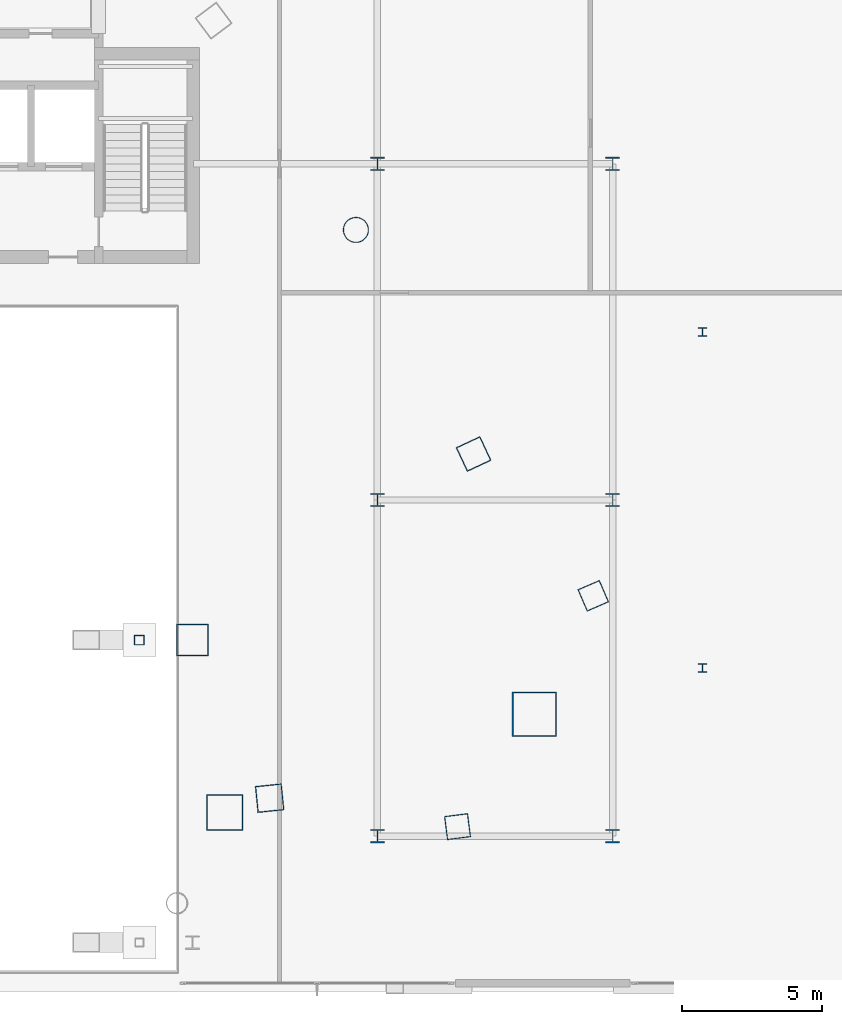
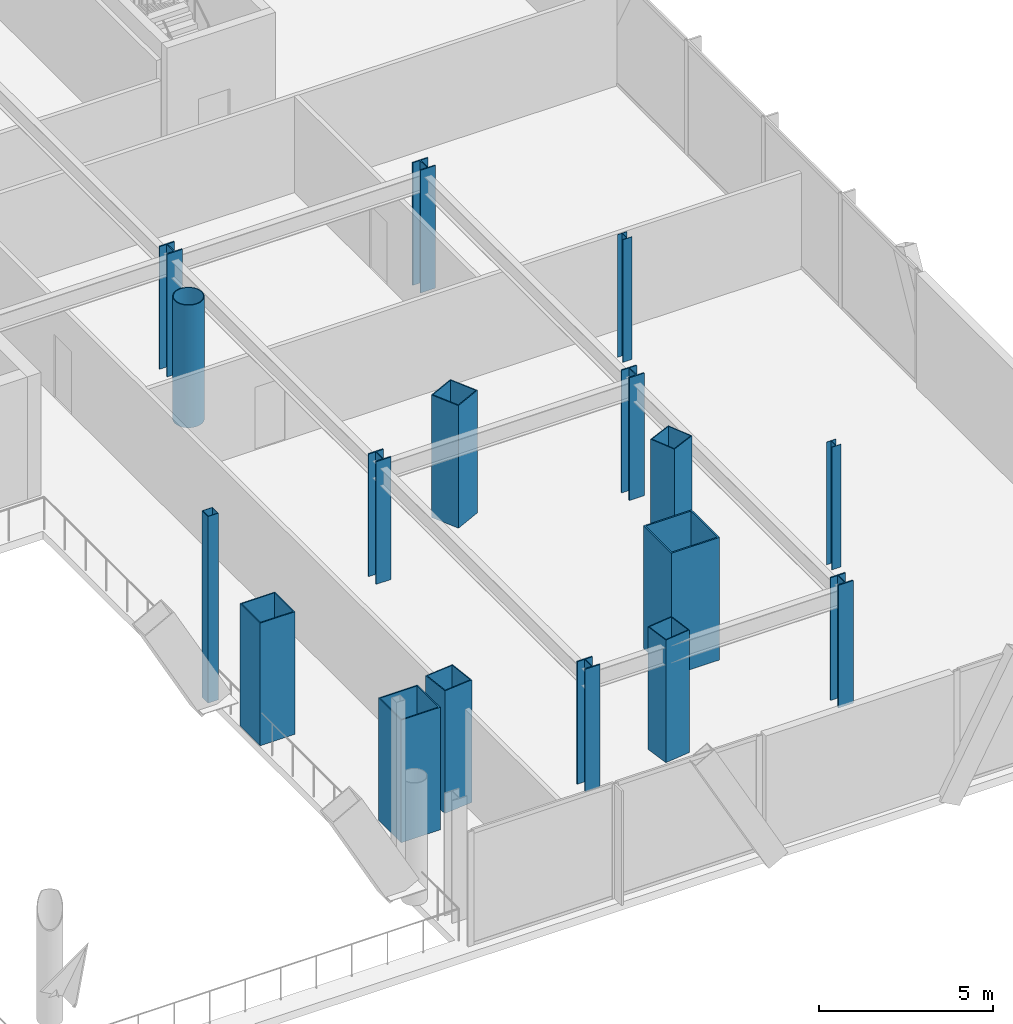
# One storey, part 2 of 42: 17 columns.
"""IFC4 building model written with IfcOpenShell, lengths in metres."""

from ifc_helpers import new_model, si_unit, direction, frame, origin, origin_2d, place, context, subcontext, project, spatial, hollow_rectangle, hollow_circle, i_section, extrude, material, material_profile, profile_set, type_object, element, save


model = new_model("IFC4")

# Units and contexts
model_context = context("Model", 3, precision=1e-05, world=origin(), true_north=direction((0.0, 1.0)))
body_context = subcontext(model_context, "Body", "Model", "MODEL_VIEW")
ifc_project = project(units=[si_unit("LENGTHUNIT", "METRE"), si_unit("AREAUNIT", "SQUARE_METRE"), si_unit("VOLUMEUNIT", "CUBIC_METRE"), si_unit("PLANEANGLEUNIT", "RADIAN"), si_unit("MASSUNIT", "GRAM", prefix="KILO")], contexts=[model_context])

# Site, building, storey
site_placement = place(None, origin())
site = spatial("IfcSite", under=ifc_project, at=site_placement, CompositionType="ELEMENT")
building_placement = place(site_placement, origin())
building = spatial("IfcBuilding", under=site, at=building_placement, Name="Orvanel Arch Residences", CompositionType="ELEMENT")
storey_placement = place(building_placement, frame((0.0, 0.0, 5.5)))
storey = spatial("IfcBuildingStorey", under=building, at=storey_placement, Name="L01", CompositionType="ELEMENT", Elevation=5.5)

# Columns
ifc_material_1 = material(Name="Structural steel AS/NZS 1163 C450L0 (Grade 450)", Category="steel")
ifc_material_profile_1 = material_profile(ifc_material_1, hollow_circle(Radius=0.45703125, WallThickness=0.02490234375, at=origin_2d()), Name="CHS914x25")
ifc_profile_set_1 = profile_set([ifc_material_profile_1], Name="Structural steel AS/NZS 1163 C450L0 (Grade 450)")
column_type_1 = type_object("IfcColumnType", Name="CC-914", PredefinedType="COLUMN", material=ifc_profile_set_1)
column_1_placement = place(storey_placement, frame((45.430908203125, 27.64111328125, 0.0), z_axis=(0.0, 0.0, 1.0), x_axis=(1.0, 0.0, 0.0)))
element("IfcColumn", 1, at=column_1_placement, inside=storey, type_object=column_type_1, Name="L01 High-Rise Tube Column 08", PredefinedType="COLUMN", context=body_context, shape_type="SweptSolid", body=[
    extrude(hollow_circle(Radius=0.45703125, WallThickness=0.02490234375, at=origin_2d()), origin(), (0.0, 0.0, 1.0), 4.300048828125),
])
ifc_material_2 = material(Name="Structural steel AS/NZS 3678 Grade 450", Category="steel")
ifc_material_profile_2 = material_profile(ifc_material_2, hollow_rectangle(XDim=1.14990234375, YDim=1.14990234375, WallThickness=0.035888671875, at=origin_2d()), Name="BOX1150x1150x36")
ifc_profile_set_2 = profile_set([ifc_material_profile_2], Name="Structural steel AS/NZS 3678 Grade 450")
column_type_2 = type_object("IfcColumnType", Name="MC-1150", PredefinedType="COLUMN", material=ifc_profile_set_2)
column_2_placement = place(storey_placement, frame((39.60009765625, 13.0, 0.0), z_axis=(0.0, 0.0, 1.0), x_axis=(1.0, 0.0, 0.0)))
element("IfcColumn", 2, at=column_2_placement, inside=storey, type_object=column_type_2, Name="L01 Arch Portal Pier MID E", PredefinedType="COLUMN", context=body_context, shape_type="SweptSolid", body=[
    extrude(hollow_rectangle(XDim=1.14990234375, YDim=1.14990234375, WallThickness=0.035888671875, at=origin_2d()), origin(), (0.0, 0.0, 1.0), 4.300048828125),
])
ifc_material_profile_3 = material_profile(ifc_material_2, hollow_rectangle(XDim=1.300048828125, YDim=1.300048828125, WallThickness=0.0400390625, at=origin_2d()), Name="BOX1300x1300x40")
ifc_profile_set_3 = profile_set([ifc_material_profile_3], Name="Structural steel AS/NZS 3678 Grade 450")
column_type_3 = type_object("IfcColumnType", Name="MC-1300", PredefinedType="COLUMN", material=ifc_profile_set_3)
column_3_placement = place(storey_placement, frame((40.75, 6.843994140625, 0.0), z_axis=(0.0, 0.0, 1.0), x_axis=(1.0, 0.0, 0.0)))
element("IfcColumn", 3, at=column_3_placement, inside=storey, type_object=column_type_3, Name="L01 Arch Transfer Pier E", PredefinedType="COLUMN", context=body_context, shape_type="SweptSolid", body=[
    extrude(hollow_rectangle(XDim=1.300048828125, YDim=1.300048828125, WallThickness=0.0400390625, at=origin_2d()), origin(), (0.0, 0.0, 1.0), 4.300048828125),
])
ifc_material_profile_4 = material_profile(ifc_material_2, hollow_rectangle(XDim=1.60009765625, YDim=1.60009765625, WallThickness=0.050048828125, at=origin_2d()), Name="BOX1600x1600x50")
ifc_profile_set_4 = profile_set([ifc_material_profile_4], Name="Structural steel AS/NZS 3678 Grade 450")
column_type_4 = type_object("IfcColumnType", Name="MC-1600", PredefinedType="COLUMN", material=ifc_profile_set_4)
column_4_placement = place(storey_placement, frame((51.801025390625, 10.35107421875, 0.0), z_axis=(0.0, 0.0, 1.0), x_axis=(1.0, 0.0, 0.0)))
element("IfcColumn", 4, at=column_4_placement, inside=storey, type_object=column_type_4, Name="L01 Corner Composite Mega-Column 3", PredefinedType="COLUMN", context=body_context, shape_type="SweptSolid", body=[
    extrude(hollow_rectangle(XDim=1.60009765625, YDim=1.60009765625, WallThickness=0.050048828125, at=origin_2d()), origin(), (0.0, 0.0, 1.0), 4.300048828125),
])
ifc_material_3 = material(Name="Structural steel AS/NZS 1163 C350L0 (Grade 350)", Category="steel")
ifc_material_profile_5 = material_profile(ifc_material_3, hollow_rectangle(XDim=0.35009765625, YDim=0.35009765625, WallThickness=0.01611328125, at=origin_2d()), Name="SHS350x350x16")
ifc_profile_set_5 = profile_set([ifc_material_profile_5], Name="Structural steel AS/NZS 1163 C350L0 (Grade 350)")
column_type_5 = type_object("IfcColumnType", Name="OC-350SHS", PredefinedType="COLUMN", material=ifc_profile_set_5)
column_5_placement = place(storey_placement, frame((37.699951171875, 13.0, 1.778076171875), z_axis=(0.0, 0.0, 1.0), x_axis=(1.0, 0.0, 0.0)))
element("IfcColumn", 5, at=column_5_placement, inside=storey, type_object=column_type_5, Name="L01 Open-Spandrel Arch Post MID 7", PredefinedType="COLUMN", context=body_context, shape_type="SweptSolid", body=[
    extrude(hollow_rectangle(XDim=0.35009765625, YDim=0.35009765625, WallThickness=0.01611328125, at=origin_2d()), origin(), (0.0, 0.0, 1.0), 6.5419921875),
])
ifc_material_4 = material(Name="Structural steel AS/NZS 3679.1 Grade 300 (300 MPa)", Category="steel")
ifc_material_profile_6 = material_profile(ifc_material_4, i_section(OverallWidth=0.306884765625, OverallDepth=0.31494140625, WebThickness=0.011962890625, FlangeThickness=0.018798828125, at=origin_2d()), Name="310UC118")
ifc_profile_set_6 = profile_set([ifc_material_profile_6], Name="Structural steel AS/NZS 3679.1 Grade 300 (300 MPa)")
column_type_6 = type_object("IfcColumnType", Name="SC-310UC118", PredefinedType="COLUMN", material=ifc_profile_set_6)
for number, where, z_axis, x_axis, name in (
    (6, (57.800048828125, 12.0, 0.0), (0.0, 0.0, 1.0), (1.0, 0.0, 0.0), "L01 Auxiliary Podium Column 03"),
    (7, (57.800048828125, 24.0, 0.0), (0.0, 0.0, 1.0), (1.0, 0.0, 0.0), "L01 Auxiliary Podium Column 04"),
):
    element("IfcColumn", number, at=place(storey_placement, frame(where, z_axis=z_axis, x_axis=x_axis)), inside=storey, type_object=column_type_6, Name=name, PredefinedType="COLUMN", context=body_context, shape_type="SweptSolid", body=[
        extrude(i_section(OverallWidth=0.306884765625, OverallDepth=0.31494140625, WebThickness=0.011962890625, FlangeThickness=0.018798828125, at=origin_2d()), origin(), (0.0, 0.0, 1.0), 4.300048828125),
    ])
ifc_material_profile_7 = material_profile(ifc_material_4, i_section(OverallWidth=0.5, OverallDepth=0.47998046875, WebThickness=0.028076171875, FlangeThickness=0.0400390625, at=origin_2d()), Name="500WC440")
ifc_profile_set_7 = profile_set([ifc_material_profile_7], Name="Structural steel AS/NZS 3679.1 Grade 300 (300 MPa)")
column_type_7 = type_object("IfcColumnType", Name="SC-500WC", PredefinedType="COLUMN", material=ifc_profile_set_7)
for number, where, z_axis, x_axis, name in (
    (8, (46.199951171875, 6.0, 0.0), (0.0, 0.0, 1.0), (1.0, 0.0, 0.0), "L01 Podium Grid Column 08"),
    (9, (46.199951171875, 18.0, 0.0), (0.0, 0.0, 1.0), (1.0, 0.0, 0.0), "L01 Podium Grid Column 09"),
    (10, (46.199951171875, 30.0, 0.0), (0.0, 0.0, 1.0), (1.0, 0.0, 0.0), "L01 Podium Grid Column 10"),
    (11, (54.60009765625, 6.0, 0.0), (0.0, 0.0, 1.0), (1.0, 0.0, 0.0), "L01 Podium Grid Column 12"),
    (12, (54.60009765625, 18.0, 0.0), (0.0, 0.0, 1.0), (1.0, 0.0, 0.0), "L01 Podium Grid Column 13"),
    (13, (54.60009765625, 30.0, 0.0), (0.0, 0.0, 1.0), (1.0, 0.0, 0.0), "L01 Podium Grid Column 14"),
):
    element("IfcColumn", number, at=place(storey_placement, frame(where, z_axis=z_axis, x_axis=x_axis)), inside=storey, type_object=column_type_7, Name=name, PredefinedType="COLUMN", context=body_context, shape_type="SweptSolid", body=[
        extrude(i_section(OverallWidth=0.5, OverallDepth=0.47998046875, WebThickness=0.028076171875, FlangeThickness=0.0400390625, at=origin_2d()), origin(), (0.0, 0.0, 1.0), 4.300048828125),
    ])
ifc_material_5 = material(Name="Structural steel AS/NZS 3678 Grade 350", Category="steel")
ifc_material_profile_8 = material_profile(ifc_material_5, hollow_rectangle(XDim=0.85009765625, YDim=0.85009765625, WallThickness=0.028076171875, at=origin_2d()), Name="BOX850x850x28")
ifc_profile_set_8 = profile_set([ifc_material_profile_8], Name="Structural steel AS/NZS 3678 Grade 350")
column_type_8 = type_object("IfcColumnType", Name="TC-850", PredefinedType="COLUMN", material=ifc_profile_set_8)
for number, where, z_axis, x_axis, name in (
    (14, (49.05908203125, 6.339111328125, 0.0), (0.0, 0.0, 1.0), (0.99189444259, 0.127064608601, 0.0), "L01 Mid-Rise Buttress Tube Column 04"),
    (15, (53.905029296875, 14.580078125, 0.0), (0.0, 0.0, 1.0), (-0.397147890635, 0.917754625684, 0.0), "L01 Mid-Rise Buttress Tube Column 05"),
):
    element("IfcColumn", number, at=place(storey_placement, frame(where, z_axis=z_axis, x_axis=x_axis)), inside=storey, type_object=column_type_8, Name=name, PredefinedType="COLUMN", context=body_context, shape_type="SweptSolid", body=[
        extrude(hollow_rectangle(XDim=0.85009765625, YDim=0.85009765625, WallThickness=0.028076171875, at=origin_2d()), origin(), (0.0, 0.0, 1.0), 4.300048828125),
    ])
ifc_material_profile_9 = material_profile(ifc_material_5, hollow_rectangle(XDim=0.949951171875, YDim=0.949951171875, WallThickness=0.031982421875, at=origin_2d()), Name="BOX950x950x32")
ifc_profile_set_9 = profile_set([ifc_material_profile_9], Name="Structural steel AS/NZS 3678 Grade 350")
column_type_9 = type_object("IfcColumnType", Name="TC-950", PredefinedType="COLUMN", material=ifc_profile_set_9)
for number, where, z_axis, x_axis, name in (
    (16, (42.35107421875, 7.35498046875, 0.0), (0.0, 0.0, 1.0), (0.994880708829, 0.101056297183, 0.0), "L01 High-Rise Tube Column 06"),
    (17, (49.633056640625, 19.64208984375, 0.0), (0.0, 0.0, 1.0), (-0.422618261741, 0.906307787037, 0.0), "L01 High-Rise Tube Column 07"),
):
    element("IfcColumn", number, at=place(storey_placement, frame(where, z_axis=z_axis, x_axis=x_axis)), inside=storey, type_object=column_type_9, Name=name, PredefinedType="COLUMN", context=body_context, shape_type="SweptSolid", body=[
        extrude(hollow_rectangle(XDim=0.949951171875, YDim=0.949951171875, WallThickness=0.031982421875, at=origin_2d()), origin(), (0.0, 0.0, 1.0), 4.300048828125),
    ])

save(model, "model.ifc")
